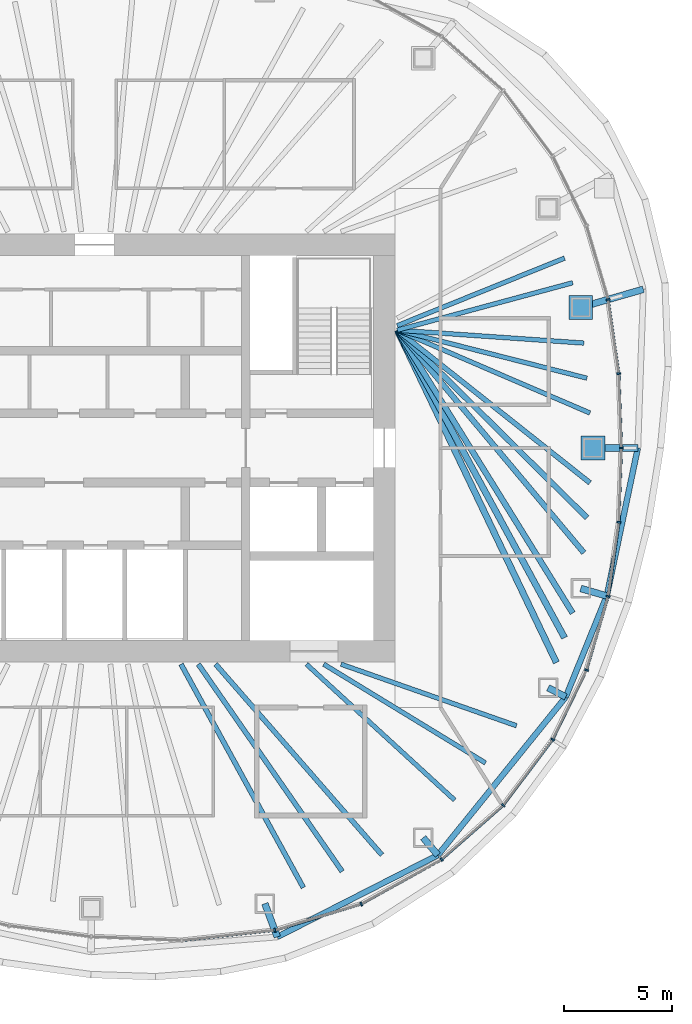
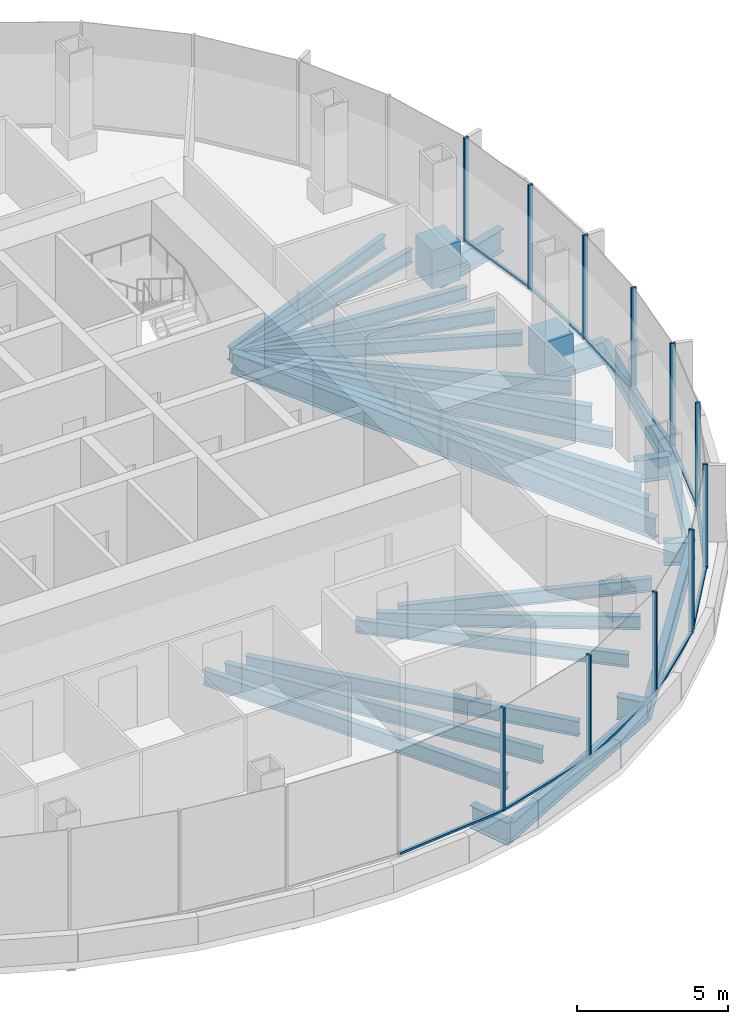
# One storey, part 4 of 13: 27 beams, 24 members, 7 elements without a shape of their own.
"""IFC4 building model written with IfcOpenShell, lengths in metres."""

from ifc_helpers import new_model, si_unit, direction, frame, origin, origin_2d, place, context, subcontext, project, spatial, rectangle, hollow_rectangle, i_section, extrude, boolean, material, material_profile, profile_set, type_object, element, aggregate, save


model = new_model("IFC4")

# Units and contexts
model_context = context("Model", 3, precision=1e-05, world=origin(), true_north=direction((0.0, 1.0)))
body_context = subcontext(model_context, "Body", "Model", "MODEL_VIEW")
ifc_project = project(units=[si_unit("LENGTHUNIT", "METRE"), si_unit("AREAUNIT", "SQUARE_METRE"), si_unit("VOLUMEUNIT", "CUBIC_METRE"), si_unit("PLANEANGLEUNIT", "RADIAN"), si_unit("MASSUNIT", "GRAM", prefix="KILO")], contexts=[model_context])

# Site, building, storey
site_placement = place(None, origin())
site = spatial("IfcSite", under=ifc_project, at=site_placement, CompositionType="ELEMENT")
building_placement = place(site_placement, origin())
building = spatial("IfcBuilding", under=site, at=building_placement, Name="Ghaith Harvest Tower", CompositionType="ELEMENT")
storey_placement = place(building_placement, frame((0.0, 0.0, 271.199951171875)))
storey = spatial("IfcBuildingStorey", under=building, at=storey_placement, Name="L60", CompositionType="ELEMENT", Elevation=271.199951171875)

# Curtain wall, members
ifc_material_1 = material(Name="Black anodised aluminium and fritted glass", Category="aluminium")
curtain_wall_type = type_object("IfcCurtainWallType", Name="CW-T CURTAIN WALL", PredefinedType="NOTDEFINED", material=ifc_material_1)
curtain_wall_1_placement = place(storey_placement, origin())
curtain_wall_1 = element("IfcCurtainWall", 1, at=curtain_wall_1_placement, inside=storey, type_object=curtain_wall_type, Name="Curtain wall CW-T bay 01 L60", PredefinedType="NOTDEFINED")
ifc_material_2 = material(Name="Aluminium, black anodised", Category="aluminium")
ifc_material_profile_1 = material_profile(ifc_material_2, rectangle(XDim=0.080078125, YDim=0.179931640625, at=origin_2d()), Name="CW-T MULLION 80x180")
ifc_profile_set_1 = profile_set([ifc_material_profile_1], Name="Aluminium, black anodised")
member_type_1 = type_object("IfcMemberType", Name="CW-T MULLION 80x180", PredefinedType="MULLION", material=ifc_profile_set_1)
member_1_placement = place(storey_placement, frame((24.3701171875, 0.0, 0.0), z_axis=(0.0, 0.0, 1.0), x_axis=(5.2e-11, 1.0, 0.0)))
member_1 = element("IfcMember", 2, at=member_1_placement, type_object=member_type_1, Name="CW-T mullion 1 bay 01 L60", PredefinedType="MULLION", context=body_context, shape_type="SweptSolid", body=[
    extrude(rectangle(XDim=0.080078125, YDim=0.179931640625, at=origin_2d()), origin(), (0.0, 0.0, 1.0), 4.199951171875),
])
member_2_placement = place(storey_placement, frame((24.247802734375, 3.433837890625, 0.0), z_axis=(0.0, 0.0, 1.0), x_axis=(-0.089502202236, 0.995986624305, 0.0)))
member_2 = element("IfcMember", 3, at=member_2_placement, type_object=member_type_1, Name="CW-T mullion 2 bay 01 L60", PredefinedType="MULLION", context=body_context, shape_type="SweptSolid", body=[
    extrude(rectangle(XDim=0.080078125, YDim=0.179931640625, at=origin_2d()), origin(), (0.0, 0.0, 1.0), 4.199951171875),
])

# Curtain wall, member
curtain_wall_2_placement = place(storey_placement, origin())
curtain_wall_2 = element("IfcCurtainWall", 4, at=curtain_wall_2_placement, inside=storey, type_object=curtain_wall_type, Name="Curtain wall CW-T bay 02 L60", PredefinedType="NOTDEFINED")
member_3_placement = place(storey_placement, frame((23.753173828125, 6.865234375, 0.0), z_axis=(0.0, 0.0, 1.0), x_axis=(-0.21340203233, 0.976964468442, 0.0)))
member_3 = element("IfcMember", 5, at=member_3_placement, type_object=member_type_1, Name="CW-T mullion 1 bay 02 L60", PredefinedType="MULLION", context=body_context, shape_type="SweptSolid", body=[
    extrude(rectangle(XDim=0.080078125, YDim=0.179931640625, at=origin_2d()), origin(), (0.0, 0.0, 1.0), 4.199951171875),
])
aggregate(curtain_wall_2, [member_3])

# Curtain wall, members
curtain_wall_3_placement = place(storey_placement, origin())
curtain_wall_3 = element("IfcCurtainWall", 6, at=curtain_wall_3_placement, inside=storey, type_object=curtain_wall_type, Name="Curtain wall CW-T bay 17 L60", PredefinedType="NOTDEFINED")
member_4_placement = place(storey_placement, frame((8.33984375, -22.308837890625, 0.0), z_axis=(0.0, 0.0, 1.0), x_axis=(0.980000193265, 0.198996535647, 0.0)))
member_4 = element("IfcMember", 7, at=member_4_placement, type_object=member_type_1, Name="CW-T mullion 1 bay 17 L60", PredefinedType="MULLION", context=body_context, shape_type="SweptSolid", body=[
    extrude(rectangle(XDim=0.080078125, YDim=0.179931640625, at=origin_2d()), origin(), (0.0, 0.0, 1.0), 4.199951171875),
])
member_5_placement = place(storey_placement, frame((12.334228515625, -21.091796875, 0.0), z_axis=(0.0, 0.0, 1.0), x_axis=(0.920319269335, 0.391168048914, 0.0)))
member_5 = element("IfcMember", 8, at=member_5_placement, type_object=member_type_1, Name="CW-T mullion 2 bay 17 L60", PredefinedType="MULLION", context=body_context, shape_type="SweptSolid", body=[
    extrude(rectangle(XDim=0.080078125, YDim=0.179931640625, at=origin_2d()), origin(), (0.0, 0.0, 1.0), 4.199951171875),
])

curtain_wall_4_placement = place(storey_placement, origin())
curtain_wall_4 = element("IfcCurtainWall", 9, at=curtain_wall_4_placement, inside=storey, type_object=curtain_wall_type, Name="Curtain wall CW-T bay 18 L60", PredefinedType="NOTDEFINED")
member_6_placement = place(storey_placement, frame((16.04931640625, -19.031982421875, 0.0), z_axis=(0.0, 0.0, 1.0), x_axis=(0.821112053644, 0.570767023715, 0.0)))
member_6 = element("IfcMember", 10, at=member_6_placement, type_object=member_type_1, Name="CW-T mullion 1 bay 18 L60", PredefinedType="MULLION", context=body_context, shape_type="SweptSolid", body=[
    extrude(rectangle(XDim=0.080078125, YDim=0.179931640625, at=origin_2d()), origin(), (0.0, 0.0, 1.0), 4.199951171875),
])
member_7_placement = place(storey_placement, frame((18.901123046875, -16.527099609375, 0.0), z_axis=(0.0, 0.0, 1.0), x_axis=(0.679660897254, 0.733526458108, 0.0)))
member_7 = element("IfcMember", 11, at=member_7_placement, type_object=member_type_1, Name="CW-T mullion 2 bay 18 L60", PredefinedType="MULLION", context=body_context, shape_type="SweptSolid", body=[
    extrude(rectangle(XDim=0.080078125, YDim=0.179931640625, at=origin_2d()), origin(), (0.0, 0.0, 1.0), 4.199951171875),
])

curtain_wall_5_placement = place(storey_placement, origin())
curtain_wall_5 = element("IfcCurtainWall", 12, at=curtain_wall_5_placement, inside=storey, type_object=curtain_wall_type, Name="Curtain wall CW-T bay 19 L60", PredefinedType="NOTDEFINED")
member_8_placement = place(storey_placement, frame((21.18896484375, -13.48486328125, 0.0), z_axis=(0.0, 0.0, 1.0), x_axis=(0.524482238715, 0.85142138878, 0.0)))
member_8 = element("IfcMember", 13, at=member_8_placement, type_object=member_type_1, Name="CW-T mullion 1 bay 19 L60", PredefinedType="MULLION", context=body_context, shape_type="SweptSolid", body=[
    extrude(rectangle(XDim=0.080078125, YDim=0.179931640625, at=origin_2d()), origin(), (0.0, 0.0, 1.0), 4.199951171875),
])
member_9_placement = place(storey_placement, frame((22.754150390625, -10.272216796875, 0.0), z_axis=(0.0, 0.0, 1.0), x_axis=(0.361184273904, 0.932494461262, 0.0)))
member_9 = element("IfcMember", 14, at=member_9_placement, type_object=member_type_1, Name="CW-T mullion 2 bay 19 L60", PredefinedType="MULLION", context=body_context, shape_type="SweptSolid", body=[
    extrude(rectangle(XDim=0.080078125, YDim=0.179931640625, at=origin_2d()), origin(), (0.0, 0.0, 1.0), 4.199951171875),
])

curtain_wall_6_placement = place(storey_placement, origin())
curtain_wall_6 = element("IfcCurtainWall", 15, at=curtain_wall_6_placement, inside=storey, type_object=curtain_wall_type, Name="Curtain wall CW-T bay 20 L60", PredefinedType="NOTDEFINED")
member_10_placement = place(storey_placement, frame((23.753173828125, -6.865234375, 0.0), z_axis=(0.0, 0.0, 1.0), x_axis=(0.213402032501, 0.976964468404, 0.0)))
member_10 = element("IfcMember", 16, at=member_10_placement, type_object=member_type_1, Name="CW-T mullion 1 bay 20 L60", PredefinedType="MULLION", context=body_context, shape_type="SweptSolid", body=[
    extrude(rectangle(XDim=0.080078125, YDim=0.179931640625, at=origin_2d()), origin(), (0.0, 0.0, 1.0), 4.199951171875),
])
member_11_placement = place(storey_placement, frame((24.247802734375, -3.433837890625, 0.0), z_axis=(0.0, 0.0, 1.0), x_axis=(0.089502202305, 0.995986624299, 0.0)))
member_11 = element("IfcMember", 17, at=member_11_placement, type_object=member_type_1, Name="CW-T mullion 2 bay 20 L60", PredefinedType="MULLION", context=body_context, shape_type="SweptSolid", body=[
    extrude(rectangle(XDim=0.080078125, YDim=0.179931640625, at=origin_2d()), origin(), (0.0, 0.0, 1.0), 4.199951171875),
])

# Member
ifc_material_3 = material(Name="Aluminium, black anodised", Category="aluminium")
ifc_material_profile_2 = material_profile(ifc_material_3, rectangle(XDim=0.1201171875, YDim=0.080078125, at=origin_2d()), Name="CW-T TRANSOM 120x80")
ifc_profile_set_2 = profile_set([ifc_material_profile_2], Name="Aluminium, black anodised")
member_type_2 = type_object("IfcMemberType", Name="CW-T TRANSOM 120x80", PredefinedType="USERDEFINED", material=ifc_profile_set_2)
member_12_placement = place(storey_placement, frame((24.36865234375, 0.0400390625, 0.0400390625), z_axis=(-0.035574759537, 0.999367017909, 0.0), x_axis=(-0.999367017909, -0.035574759537, 0.0)))
member_12 = element("IfcMember", 18, at=member_12_placement, type_object=member_type_2, Name="CW-T transom 1 bay 01 L60", ObjectType="TRANSOM", PredefinedType="USERDEFINED", context=body_context, shape_type="SweptSolid", body=[
    extrude(rectangle(XDim=0.1201171875, YDim=0.080078125, at=origin_2d()), origin(), (0.0, 0.0, 1.0), 3.35595703125),
])

member_13_placement = place(storey_placement, frame((24.2421875, 3.473388671875, 0.0400390625), z_axis=(-0.142733224301, 0.989761196795, 0.0), x_axis=(-0.989761196795, -0.142733224301, 0.0)))
member_13 = element("IfcMember", 19, at=member_13_placement, type_object=member_type_2, Name="CW-T transom 2 bay 01 L60", ObjectType="TRANSOM", PredefinedType="USERDEFINED", context=body_context, shape_type="SweptSolid", body=[
    extrude(rectangle(XDim=0.1201171875, YDim=0.080078125, at=origin_2d()), origin(), (0.0, 0.0, 1.0), 3.38671875),
])

aggregate(curtain_wall_1, [member_1, member_12, member_2, member_13])

# Curtain wall, member
curtain_wall_7_placement = place(storey_placement, origin())
curtain_wall_7 = element("IfcCurtainWall", 20, at=curtain_wall_7_placement, inside=storey, type_object=curtain_wall_type, Name="Curtain wall CW-T bay 16 L60", PredefinedType="NOTDEFINED")
member_14_placement = place(storey_placement, frame((4.077392578125, -22.772216796875, 0.0400390625), z_axis=(0.994144463069, 0.108059180768, 0.0), x_axis=(-0.108059180768, 0.994144463069, 0.0)))
member_14 = element("IfcMember", 21, at=member_14_placement, type_object=member_type_2, Name="CW-T transom 2 bay 16 L60", ObjectType="TRANSOM", PredefinedType="USERDEFINED", context=body_context, shape_type="SweptSolid", body=[
    extrude(rectangle(XDim=0.1201171875, YDim=0.080078125, at=origin_2d()), origin(), (0.0, 0.0, 1.0), 4.24755859375),
])
aggregate(curtain_wall_7, [member_14])

# Member
member_15_placement = place(storey_placement, frame((8.378173828125, -22.297119140625, 0.0400390625), z_axis=(0.956593713342, 0.291424891858, 0.0), x_axis=(-0.291424891858, 0.956593713342, 0.0)))
member_15 = element("IfcMember", 22, at=member_15_placement, type_object=member_type_2, Name="CW-T transom 1 bay 17 L60", ObjectType="TRANSOM", PredefinedType="USERDEFINED", context=body_context, shape_type="SweptSolid", body=[
    extrude(rectangle(XDim=0.1201171875, YDim=0.080078125, at=origin_2d()), origin(), (0.0, 0.0, 1.0), 4.095703125),
])

member_16_placement = place(storey_placement, frame((12.369384765625, -21.072509765625, 0.0400390625), z_axis=(0.874552130553, 0.484931511603, 0.0), x_axis=(-0.484931511603, 0.874552130553, 0.0)))
member_16 = element("IfcMember", 23, at=member_16_placement, type_object=member_type_2, Name="CW-T transom 2 bay 17 L60", ObjectType="TRANSOM", PredefinedType="USERDEFINED", context=body_context, shape_type="SweptSolid", body=[
    extrude(rectangle(XDim=0.1201171875, YDim=0.080078125, at=origin_2d()), origin(), (0.0, 0.0, 1.0), 4.16748046875),
])

aggregate(curtain_wall_3, [member_4, member_15, member_5, member_16])

member_17_placement = place(storey_placement, frame((16.079345703125, -19.005615234375, 0.0400390625), z_axis=(0.751325799984, 0.659931467865, 0.0), x_axis=(-0.659931467865, 0.751325799984, 0.0)))
member_17 = element("IfcMember", 24, at=member_17_placement, type_object=member_type_2, Name="CW-T transom 1 bay 18 L60", ObjectType="TRANSOM", PredefinedType="USERDEFINED", context=body_context, shape_type="SweptSolid", body=[
    extrude(rectangle(XDim=0.1201171875, YDim=0.080078125, at=origin_2d()), origin(), (0.0, 0.0, 1.0), 3.7158203125),
])

member_18_placement = place(storey_placement, frame((18.925048828125, -16.4951171875, 0.0400390625), z_axis=(0.601079103045, 0.799189534392, 0.0), x_axis=(-0.799189534392, 0.601079103045, 0.0)))
member_18 = element("IfcMember", 25, at=member_18_placement, type_object=member_type_2, Name="CW-T transom 2 bay 18 L60", ObjectType="TRANSOM", PredefinedType="USERDEFINED", context=body_context, shape_type="SweptSolid", body=[
    extrude(rectangle(XDim=0.1201171875, YDim=0.080078125, at=origin_2d()), origin(), (0.0, 0.0, 1.0), 3.7265625),
])

aggregate(curtain_wall_4, [member_6, member_17, member_7, member_18])

member_19_placement = place(storey_placement, frame((21.20654296875, -13.448974609375, 0.0400390625), z_axis=(0.437965078712, 0.898991985408, 0.0), x_axis=(-0.898991985408, 0.437965078712, 0.0)))
member_19 = element("IfcMember", 26, at=member_19_placement, type_object=member_type_2, Name="CW-T transom 1 bay 19 L60", ObjectType="TRANSOM", PredefinedType="USERDEFINED", context=body_context, shape_type="SweptSolid", body=[
    extrude(rectangle(XDim=0.1201171875, YDim=0.080078125, at=origin_2d()), origin(), (0.0, 0.0, 1.0), 3.493408203125),
])

member_20_placement = place(storey_placement, frame((22.765380859375, -10.23388671875, 0.0400390625), z_axis=(0.281385475469, 0.95959481772, 0.0), x_axis=(-0.95959481772, 0.281385475469, 0.0)))
member_20 = element("IfcMember", 27, at=member_20_placement, type_object=member_type_2, Name="CW-T transom 2 bay 19 L60", ObjectType="TRANSOM", PredefinedType="USERDEFINED", context=body_context, shape_type="SweptSolid", body=[
    extrude(rectangle(XDim=0.1201171875, YDim=0.080078125, at=origin_2d()), origin(), (0.0, 0.0, 1.0), 3.470458984375),
])

aggregate(curtain_wall_5, [member_8, member_19, member_9, member_20])

member_21_placement = place(storey_placement, frame((23.7587890625, -6.825439453125, 0.0400390625), z_axis=(0.142733224301, 0.989761196795, 0.0), x_axis=(-0.989761196795, 0.142733224301, 0.0)))
member_21 = element("IfcMember", 28, at=member_21_placement, type_object=member_type_2, Name="CW-T transom 1 bay 20 L60", ObjectType="TRANSOM", PredefinedType="USERDEFINED", context=body_context, shape_type="SweptSolid", body=[
    extrude(rectangle(XDim=0.1201171875, YDim=0.080078125, at=origin_2d()), origin(), (0.0, 0.0, 1.0), 3.38671875),
])

member_22_placement = place(storey_placement, frame((24.249267578125, -3.393798828125, 0.0400390625), z_axis=(0.035574759537, 0.999367017909, 0.0), x_axis=(-0.999367017909, 0.035574759537, 0.0)))
member_22 = element("IfcMember", 29, at=member_22_placement, type_object=member_type_2, Name="CW-T transom 2 bay 20 L60", ObjectType="TRANSOM", PredefinedType="USERDEFINED", context=body_context, shape_type="SweptSolid", body=[
    extrude(rectangle(XDim=0.1201171875, YDim=0.080078125, at=origin_2d()), origin(), (0.0, 0.0, 1.0), 3.35595703125),
])

aggregate(curtain_wall_6, [member_10, member_21, member_11, member_22])

# Beams
ifc_material_4 = material(Name="Steel ASTM A992 Grade 50", Category="steel")
ifc_material_profile_3 = material_profile(ifc_material_4, i_section(OverallWidth=0.26611328125, OverallDepth=0.758056640625, WebThickness=0.013916015625, FlangeThickness=0.019287109375, at=origin_2d()), Name="W760X161")
ifc_profile_set_3 = profile_set([ifc_material_profile_3], Name="Steel ASTM A992 Grade 50")
beam_type_1 = type_object("IfcBeamType", Name="E760-161 W760X161", PredefinedType="SPANDREL", material=ifc_profile_set_3)
beam_1_placement = place(storey_placement, frame((8.453857421875, -22.61376953125, -0.654052734375), z_axis=(0.890913585196, 0.454172856645, 0.0), x_axis=(-0.454172856645, 0.890913585196, 0.0)))
element("IfcBeam", 30, at=beam_1_placement, inside=storey, type_object=beam_type_1, Name="Setback edge beam E17 L60", PredefinedType="SPANDREL", context=body_context, shape_type="SweptSolid", body=[
    extrude(i_section(OverallWidth=0.26611328125, OverallDepth=0.758056640625, WebThickness=0.013916015625, FlangeThickness=0.019287109375, at=origin_2d()), origin(), (0.0, 0.0, 1.0), 8.3330078125),
])
beam_2_placement = place(storey_placement, frame((15.8779296875, -18.8291015625, -0.654052734375), z_axis=(0.628837394792, 0.777536835726, 0.0), x_axis=(-0.777536835726, 0.628837394792, 0.0)))
element("IfcBeam", 31, at=beam_2_placement, inside=storey, type_object=beam_type_1, Name="Setback edge beam E18 L60", PredefinedType="SPANDREL", context=body_context, shape_type="SweptSolid", body=[
    extrude(i_section(OverallWidth=0.26611328125, OverallDepth=0.758056640625, WebThickness=0.013916015625, FlangeThickness=0.019287109375, at=origin_2d()), origin(), (0.0, 0.0, 1.0), 9.40283203125),
])
beam_3_placement = place(storey_placement, frame((21.790771484375, -11.51806640625, -0.654052734375), z_axis=(0.37621080311, 0.926534096309, 0.0), x_axis=(-0.926534096309, 0.37621080311, 0.0)))
element("IfcBeam", 32, at=beam_3_placement, inside=storey, type_object=beam_type_1, Name="Setback edge beam E19 L60", PredefinedType="SPANDREL", context=body_context, shape_type="SweptSolid", body=[
    extrude(i_section(OverallWidth=0.26611328125, OverallDepth=0.758056640625, WebThickness=0.013916015625, FlangeThickness=0.019287109375, at=origin_2d()), origin(), (0.0, 0.0, 1.0), 5.042236328125),
])
beam_4_placement = place(storey_placement, frame((23.687744140625, -6.84619140625, -0.654052734375), z_axis=(0.205456398691, 0.978666270103, 0.0), x_axis=(-0.978666270103, 0.205456398691, 0.0)))
element("IfcBeam", 33, at=beam_4_placement, inside=storey, type_object=beam_type_1, Name="Setback edge beam E20 L60", PredefinedType="SPANDREL", context=body_context, shape_type="SweptSolid", body=[
    extrude(i_section(OverallWidth=0.26611328125, OverallDepth=0.758056640625, WebThickness=0.013916015625, FlangeThickness=0.019287109375, at=origin_2d()), origin(), (0.0, 0.0, 1.0), 6.995361328125),
])
ifc_material_5 = material(Name="Steel ASTM A992 Grade 50", Category="steel")
ifc_material_profile_4 = material_profile(ifc_material_5, i_section(OverallWidth=0.31005859375, OverallDepth=0.927001953125, WebThickness=0.019287109375, FlangeThickness=0.031982421875, at=origin_2d()), Name="W920X289")
ifc_profile_set_4 = profile_set([ifc_material_profile_4], Name="Steel ASTM A992 Grade 50")
beam_type_2 = type_object("IfcBeamType", Name="G920-289 W920X289", PredefinedType="BEAM", material=ifc_profile_set_4)
beam_5_placement = place(storey_placement, frame((23.050048828125, 0.0, -0.738525390625), z_axis=(1.0, 0.0, 0.0), x_axis=(0.0, 1.0, 0.0)))
element("IfcBeam", 34, at=beam_5_placement, inside=storey, type_object=beam_type_2, Name="Setback cantilever G01 L60", PredefinedType="BEAM", context=body_context, shape_type="SweptSolid", body=[
    extrude(i_section(OverallWidth=0.31005859375, OverallDepth=0.927001953125, WebThickness=0.019287109375, FlangeThickness=0.031982421875, at=origin_2d()), origin(), (0.0, 0.0, 1.0), 2.074951171875),
])
beam_6_placement = place(storey_placement, frame((22.485107421875, 6.4990234375, -0.738525390625), z_axis=(0.960706016768, 0.277567918438, 0.0), x_axis=(-0.277567918438, 0.960706016768, 0.0)))
element("IfcBeam", 35, at=beam_6_placement, inside=storey, type_object=beam_type_2, Name="Setback cantilever G02 L60", PredefinedType="BEAM", context=body_context, shape_type="SweptSolid", body=[
    extrude(i_section(OverallWidth=0.31005859375, OverallDepth=0.927001953125, WebThickness=0.019287109375, FlangeThickness=0.031982421875, at=origin_2d()), origin(), (0.0, 0.0, 1.0), 3.01171875),
])
beam_7_placement = place(storey_placement, frame((7.8779296875, -21.072021484375, -0.738525390625), z_axis=(0.349936431529, -0.93677344854, 0.0), x_axis=(0.93677344854, 0.349936431529, 0.0)))
element("IfcBeam", 36, at=beam_7_placement, inside=storey, type_object=beam_type_2, Name="Setback cantilever G17 L60", PredefinedType="BEAM", context=body_context, shape_type="SweptSolid", body=[
    extrude(i_section(OverallWidth=0.31005859375, OverallDepth=0.927001953125, WebThickness=0.019287109375, FlangeThickness=0.031982421875, at=origin_2d()), origin(), (0.0, 0.0, 1.0), 1.645751953125),
])
beam_8_placement = place(storey_placement, frame((15.197998046875, -18.02294921875, -0.738525390625), z_axis=(0.644727247323, -0.764412700417, 0.0), x_axis=(0.764412700417, 0.644727247323, 0.0)))
element("IfcBeam", 37, at=beam_8_placement, inside=storey, type_object=beam_type_2, Name="Setback cantilever G18 L60", PredefinedType="BEAM", context=body_context, shape_type="SweptSolid", body=[
    extrude(i_section(OverallWidth=0.31005859375, OverallDepth=0.927001953125, WebThickness=0.019287109375, FlangeThickness=0.031982421875, at=origin_2d()), origin(), (0.0, 0.0, 1.0), 1.0546875),
])
beam_9_placement = place(storey_placement, frame((20.97705078125, -11.087890625, -0.738525390625), z_axis=(0.884065194048, -0.467363597933, 0.0), x_axis=(0.467363597933, 0.884065194048, 0.0)))
element("IfcBeam", 38, at=beam_9_placement, inside=storey, type_object=beam_type_2, Name="Setback cantilever G19 L60", PredefinedType="BEAM", context=body_context, shape_type="SweptSolid", body=[
    extrude(i_section(OverallWidth=0.31005859375, OverallDepth=0.927001953125, WebThickness=0.019287109375, FlangeThickness=0.031982421875, at=origin_2d()), origin(), (0.0, 0.0, 1.0), 0.92041015625),
])
beam_10_placement = place(storey_placement, frame((22.485107421875, -6.4990234375, -0.738525390625), z_axis=(0.960769635525, -0.277347629256, 0.0), x_axis=(0.277347629256, 0.960769635525, 0.0)))
element("IfcBeam", 39, at=beam_10_placement, inside=storey, type_object=beam_type_2, Name="Setback cantilever G20 L60", PredefinedType="BEAM", context=body_context, shape_type="SweptSolid", body=[
    extrude(i_section(OverallWidth=0.31005859375, OverallDepth=0.927001953125, WebThickness=0.019287109375, FlangeThickness=0.031982421875, at=origin_2d()), origin(), (0.0, 0.0, 1.0), 1.251708984375),
])
ifc_material_6 = material(Name="Steel ASTM A992 Grade 50", Category="steel")
ifc_material_profile_5 = material_profile(ifc_material_6, i_section(OverallWidth=0.2109375, OverallDepth=0.5390625, WebThickness=0.01171875, FlangeThickness=0.018798828125, at=origin_2d()), Name="W530X109")
ifc_profile_set_5 = profile_set([ifc_material_profile_5], Name="Steel ASTM A992 Grade 50")
beam_type_3 = type_object("IfcBeamType", Name="J530-109 W530X109", PredefinedType="JOIST", material=ifc_profile_set_5)
beam_11_placement = place(storey_placement, frame((14.0, 5.4462890625, -0.439453125), z_axis=(0.918627344503, -0.395125045943, 0.0), x_axis=(0.395125045943, 0.918627344503, 0.0)))
element("IfcBeam", 40, at=beam_11_placement, inside=storey, type_object=beam_type_3, Name="Joist J01.1 L60", PredefinedType="JOIST", context=body_context, shape_type="SweptSolid", body=[
    extrude(i_section(OverallWidth=0.2109375, OverallDepth=0.5390625, WebThickness=0.01171875, FlangeThickness=0.018798828125, at=origin_2d()), origin(), (0.0, 0.0, 1.0), 9.698974609375),
])
beam_12_placement = place(storey_placement, frame((14.0, 5.4462890625, -0.439453125), z_axis=(0.969377351725, -0.245575955589, 0.0), x_axis=(0.245575955589, 0.969377351725, 0.0)))
element("IfcBeam", 41, at=beam_12_placement, inside=storey, type_object=beam_type_3, Name="Joist J01.2 L60", PredefinedType="JOIST", context=body_context, shape_type="SweptSolid", body=[
    extrude(i_section(OverallWidth=0.2109375, OverallDepth=0.5390625, WebThickness=0.01171875, FlangeThickness=0.018798828125, at=origin_2d()), origin(), (0.0, 0.0, 1.0), 9.046875),
])
beam_13_placement = place(storey_placement, frame((14.0, 5.4462890625, -0.439453125), z_axis=(0.997598152441, -0.069267064655, 0.0), x_axis=(0.069267064655, 0.997598152441, 0.0)))
element("IfcBeam", 42, at=beam_13_placement, inside=storey, type_object=beam_type_3, Name="Joist J01.3 L60", PredefinedType="JOIST", context=body_context, shape_type="SweptSolid", body=[
    extrude(i_section(OverallWidth=0.2109375, OverallDepth=0.5390625, WebThickness=0.01171875, FlangeThickness=0.018798828125, at=origin_2d()), origin(), (0.0, 0.0, 1.0), 8.6494140625),
])
beam_14_placement = place(storey_placement, frame((14.0, 5.4462890625, -0.439453125), z_axis=(0.965401362235, 0.260768498471, 0.0), x_axis=(-0.260768498471, 0.965401362235, 0.0)))
element("IfcBeam", 43, at=beam_14_placement, inside=storey, type_object=beam_type_3, Name="Joist J02.1 L60", PredefinedType="JOIST", context=body_context, shape_type="SweptSolid", body=[
    extrude(i_section(OverallWidth=0.2109375, OverallDepth=0.5390625, WebThickness=0.01171875, FlangeThickness=0.018798828125, at=origin_2d()), origin(), (0.0, 0.0, 1.0), 8.40185546875),
])
beam_15_placement = place(storey_placement, frame((14.0, 5.653564453125, -0.439453125), z_axis=(0.927248675783, 0.374446115294, 0.0), x_axis=(-0.374446115294, 0.927248675783, 0.0)))
element("IfcBeam", 44, at=beam_15_placement, inside=storey, type_object=beam_type_3, Name="Joist J02.2 L60", PredefinedType="JOIST", context=body_context, shape_type="SweptSolid", body=[
    extrude(i_section(OverallWidth=0.2109375, OverallDepth=0.5390625, WebThickness=0.01171875, FlangeThickness=0.018798828125, at=origin_2d()), origin(), (0.0, 0.0, 1.0), 8.343017578125),
])
beam_16_placement = place(storey_placement, frame((9.800048828125, -10.0, -0.439453125), z_axis=(0.736998187228, -0.675894719629, 0.0), x_axis=(0.675894719629, 0.736998187228, 0.0)))
element("IfcBeam", 45, at=beam_16_placement, inside=storey, type_object=beam_type_3, Name="Joist J18.1 L60", PredefinedType="JOIST", context=body_context, shape_type="SweptSolid", body=[
    extrude(i_section(OverallWidth=0.2109375, OverallDepth=0.5390625, WebThickness=0.01171875, FlangeThickness=0.018798828125, at=origin_2d()), origin(), (0.0, 0.0, 1.0), 9.293701171875),
])
beam_17_placement = place(storey_placement, frame((10.60009765625, -10.0, -0.439453125), z_axis=(0.853467052113, -0.521146803654, 0.0), x_axis=(0.521146803654, 0.853467052113, 0.0)))
element("IfcBeam", 46, at=beam_17_placement, inside=storey, type_object=beam_type_3, Name="Joist J18.2 L60", PredefinedType="JOIST", context=body_context, shape_type="SweptSolid", body=[
    extrude(i_section(OverallWidth=0.2109375, OverallDepth=0.5390625, WebThickness=0.01171875, FlangeThickness=0.018798828125, at=origin_2d()), origin(), (0.0, 0.0, 1.0), 8.76220703125),
])
beam_18_placement = place(storey_placement, frame((11.39990234375, -10.0, -0.439453125), z_axis=(0.943605274188, -0.331072630285, 0.0), x_axis=(0.331072630285, 0.943605274188, 0.0)))
element("IfcBeam", 47, at=beam_18_placement, inside=storey, type_object=beam_type_3, Name="Joist J18.3 L60", PredefinedType="JOIST", context=body_context, shape_type="SweptSolid", body=[
    extrude(i_section(OverallWidth=0.2109375, OverallDepth=0.5390625, WebThickness=0.01171875, FlangeThickness=0.018798828125, at=origin_2d()), origin(), (0.0, 0.0, 1.0), 8.596923828125),
])
ifc_material_7 = material(Name="Steel ASTM A992 Grade 50", Category="steel")
ifc_material_profile_6 = material_profile(ifc_material_7, i_section(OverallWidth=0.22998046875, OverallDepth=0.616943359375, WebThickness=0.01318359375, FlangeThickness=0.022216796875, at=origin_2d()), Name="W610X140")
ifc_profile_set_6 = profile_set([ifc_material_profile_6], Name="Steel ASTM A992 Grade 50")
beam_type_4 = type_object("IfcBeamType", Name="J610-140 W610X140", PredefinedType="JOIST", material=ifc_profile_set_6)
beam_19_placement = place(storey_placement, frame((4.0, -10.0, -0.478515625), z_axis=(0.480322595727, -0.877091901704, 0.0), x_axis=(0.877091901704, 0.480322595727, 0.0)))
element("IfcBeam", 48, at=beam_19_placement, inside=storey, type_object=beam_type_4, Name="Joist J17.1 L60", PredefinedType="JOIST", context=body_context, shape_type="SweptSolid", body=[
    extrude(i_section(OverallWidth=0.22998046875, OverallDepth=0.616943359375, WebThickness=0.01318359375, FlangeThickness=0.022216796875, at=origin_2d()), origin(), (0.0, 0.0, 1.0), 11.778564453125),
])
beam_20_placement = place(storey_placement, frame((4.800048828125, -10.0, -0.478515625), z_axis=(0.570225976326, -0.821487879353, 0.0), x_axis=(0.821487879353, 0.570225976326, 0.0)))
element("IfcBeam", 49, at=beam_20_placement, inside=storey, type_object=beam_type_4, Name="Joist J17.2 L60", PredefinedType="JOIST", context=body_context, shape_type="SweptSolid", body=[
    extrude(i_section(OverallWidth=0.22998046875, OverallDepth=0.616943359375, WebThickness=0.01318359375, FlangeThickness=0.022216796875, at=origin_2d()), origin(), (0.0, 0.0, 1.0), 11.665771484375),
])
beam_21_placement = place(storey_placement, frame((5.60009765625, -10.0, -0.478515625), z_axis=(0.657213934262, -0.753704082921, 0.0), x_axis=(0.753704082921, 0.657213934262, 0.0)))
element("IfcBeam", 50, at=beam_21_placement, inside=storey, type_object=beam_type_4, Name="Joist J17.3 L60", PredefinedType="JOIST", context=body_context, shape_type="SweptSolid", body=[
    extrude(i_section(OverallWidth=0.22998046875, OverallDepth=0.616943359375, WebThickness=0.01318359375, FlangeThickness=0.022216796875, at=origin_2d()), origin(), (0.0, 0.0, 1.0), 11.69970703125),
])
beam_22_placement = place(storey_placement, frame((14.0, 5.4462890625, -0.478515625), z_axis=(0.783753963498, -0.621071432849, 0.0), x_axis=(0.621071432849, 0.783753963498, 0.0)))
element("IfcBeam", 51, at=beam_22_placement, inside=storey, type_object=beam_type_4, Name="Joist J20.3 L60", PredefinedType="JOIST", context=body_context, shape_type="SweptSolid", body=[
    extrude(i_section(OverallWidth=0.22998046875, OverallDepth=0.616943359375, WebThickness=0.01318359375, FlangeThickness=0.022216796875, at=origin_2d()), origin(), (0.0, 0.0, 1.0), 11.367919921875),
])
ifc_material_8 = material(Name="Steel ASTM A992 Grade 50", Category="steel")
ifc_material_profile_7 = material_profile(ifc_material_8, i_section(OverallWidth=0.25390625, OverallDepth=0.68798828125, WebThickness=0.01318359375, FlangeThickness=0.02099609375, at=origin_2d()), Name="W690X152")
ifc_profile_set_7 = profile_set([ifc_material_profile_7], Name="Steel ASTM A992 Grade 50")
beam_type_5 = type_object("IfcBeamType", Name="J690-152 W690X152", PredefinedType="JOIST", material=ifc_profile_set_7)
beam_23_placement = place(storey_placement, frame((14.0, 5.4462890625, -0.513916015625), z_axis=(0.642412942462, -0.766358670178, 0.0), x_axis=(0.766358670178, 0.642412942462, 0.0)))
element("IfcBeam", 52, at=beam_23_placement, inside=storey, type_object=beam_type_5, Name="Joist J20.1 L60", PredefinedType="JOIST", context=body_context, shape_type="SweptSolid", body=[
    extrude(i_section(OverallWidth=0.25390625, OverallDepth=0.68798828125, WebThickness=0.01318359375, FlangeThickness=0.02099609375, at=origin_2d()), origin(), (0.0, 0.0, 1.0), 13.431640625),
])
beam_24_placement = place(storey_placement, frame((14.0, 5.4462890625, -0.513916015625), z_axis=(0.711104175775, -0.703086659804, 0.0), x_axis=(0.703086659804, 0.711104175775, 0.0)))
element("IfcBeam", 53, at=beam_24_placement, inside=storey, type_object=beam_type_5, Name="Joist J20.2 L60", PredefinedType="JOIST", context=body_context, shape_type="SweptSolid", body=[
    extrude(i_section(OverallWidth=0.25390625, OverallDepth=0.68798828125, WebThickness=0.01318359375, FlangeThickness=0.02099609375, at=origin_2d()), origin(), (0.0, 0.0, 1.0), 12.33251953125),
])
ifc_material_9 = material(Name="Steel ASTM A992 Grade 50", Category="steel")
ifc_material_profile_8 = material_profile(ifc_material_9, i_section(OverallWidth=0.26611328125, OverallDepth=0.758056640625, WebThickness=0.013916015625, FlangeThickness=0.019287109375, at=origin_2d()), Name="W760X161")
ifc_profile_set_8 = profile_set([ifc_material_profile_8], Name="Steel ASTM A992 Grade 50")
beam_type_6 = type_object("IfcBeamType", Name="J760-161 W760X161", PredefinedType="JOIST", material=ifc_profile_set_8)
beam_25_placement = place(storey_placement, frame((14.0, 5.4462890625, -0.549072265625), z_axis=(0.526907591611, -0.849922578769, 0.0), x_axis=(0.849922578769, 0.526907591611, 0.0)))
element("IfcBeam", 54, at=beam_25_placement, inside=storey, type_object=beam_type_6, Name="Joist J19.3 L60", PredefinedType="JOIST", context=body_context, shape_type="SweptSolid", body=[
    extrude(i_section(OverallWidth=0.26611328125, OverallDepth=0.758056640625, WebThickness=0.013916015625, FlangeThickness=0.019287109375, at=origin_2d()), origin(), (0.0, 0.0, 1.0), 15.393798828125),
])
ifc_material_10 = material(Name="Steel ASTM A992 Grade 50", Category="steel")
ifc_material_profile_9 = material_profile(ifc_material_10, i_section(OverallWidth=0.2919921875, OverallDepth=0.840087890625, WebThickness=0.0146484375, FlangeThickness=0.021728515625, at=origin_2d()), Name="W840X193")
ifc_profile_set_9 = profile_set([ifc_material_profile_9], Name="Steel ASTM A992 Grade 50")
beam_type_7 = type_object("IfcBeamType", Name="J840-193 W840X193", PredefinedType="JOIST", material=ifc_profile_set_9)
beam_26_placement = place(storey_placement, frame((14.0, 5.4462890625, -0.58984375), z_axis=(0.431791030419, -0.901973672592, 0.0), x_axis=(0.901973672592, 0.431791030419, 0.0)))
element("IfcBeam", 55, at=beam_26_placement, inside=storey, type_object=beam_type_7, Name="Joist J19.1 L60", PredefinedType="JOIST", context=body_context, shape_type="SweptSolid", body=[
    extrude(i_section(OverallWidth=0.2919921875, OverallDepth=0.840087890625, WebThickness=0.0146484375, FlangeThickness=0.021728515625, at=origin_2d()), origin(), (0.0, 0.0, 1.0), 17.042724609375),
])
beam_27_placement = place(storey_placement, frame((14.0, 5.4462890625, -0.58984375), z_axis=(0.477785828907, -0.878476352383, 0.0), x_axis=(0.878476352383, 0.477785828907, 0.0)))
element("IfcBeam", 56, at=beam_27_placement, inside=storey, type_object=beam_type_7, Name="Joist J19.2 L60", PredefinedType="JOIST", context=body_context, shape_type="SweptSolid", body=[
    extrude(i_section(OverallWidth=0.2919921875, OverallDepth=0.840087890625, WebThickness=0.0146484375, FlangeThickness=0.021728515625, at=origin_2d()), origin(), (0.0, 0.0, 1.0), 16.191650390625),
])

# Members
ifc_material_11 = material(Name="Steel S460M", Category="steel")
ifc_material_profile_10 = material_profile(ifc_material_11, hollow_rectangle(XDim=1.10009765625, YDim=1.10009765625, WallThickness=0.080078125, at=origin_2d()), Name="BOX1100X1100X80")
ifc_profile_set_10 = profile_set([ifc_material_profile_10], Name="Steel S460M")
member_type_3 = type_object("IfcMemberType", Name="KN1 BOX1100X1100X80", PredefinedType="USERDEFINED", material=ifc_profile_set_10)
for number, where, z_axis, x_axis, name in (
    (57, (23.050048828125, 0.0, -0.77490234375), (0.0, 0.0, 1.0), (1.0, 0.0, 0.0), "Raked column kink node C01 head L59"),
    (58, (22.485107421875, 6.4990234375, -0.77490234375), (0.0, 0.0, 1.0), (1.0, 0.0, 0.0), "Raked column kink node C02 head L59"),
):
    element("IfcMember", number, at=place(storey_placement, frame(where, z_axis=z_axis, x_axis=x_axis)), inside=storey, type_object=member_type_3, Name=name, ObjectType="KINK NODE", PredefinedType="USERDEFINED", context=body_context, shape_type="CSG", body=[
        boolean("UNION", extrude(hollow_rectangle(XDim=1.10009765625, YDim=1.10009765625, WallThickness=0.080078125, at=origin_2d()), origin(), (0.0, 0.0, 1.0), 1.550048828125), extrude(rectangle(XDim=1.10009765625, YDim=1.10009765625, at=origin_2d()), frame((0.0, 0.0, 1.550048828125)), (0.0, 0.0, 1.0), 0.02490234375)),
    ])

save(model, "model.ifc")
